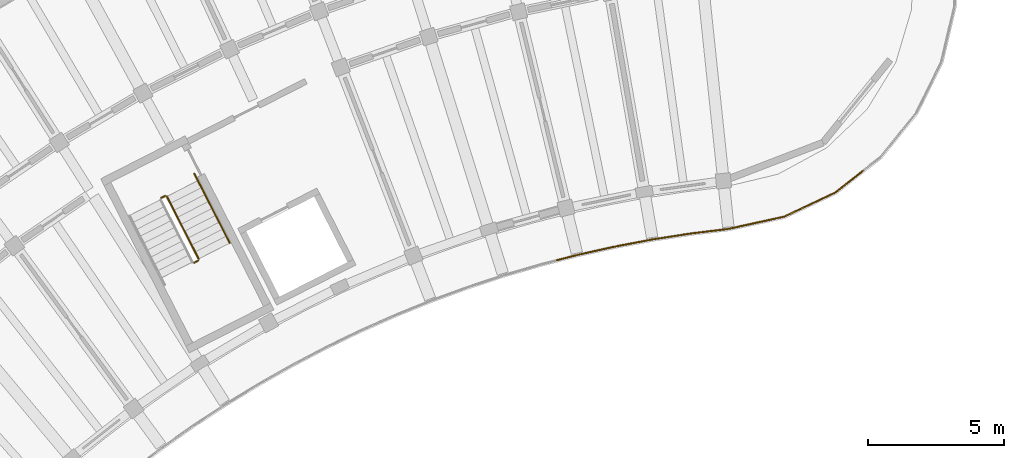
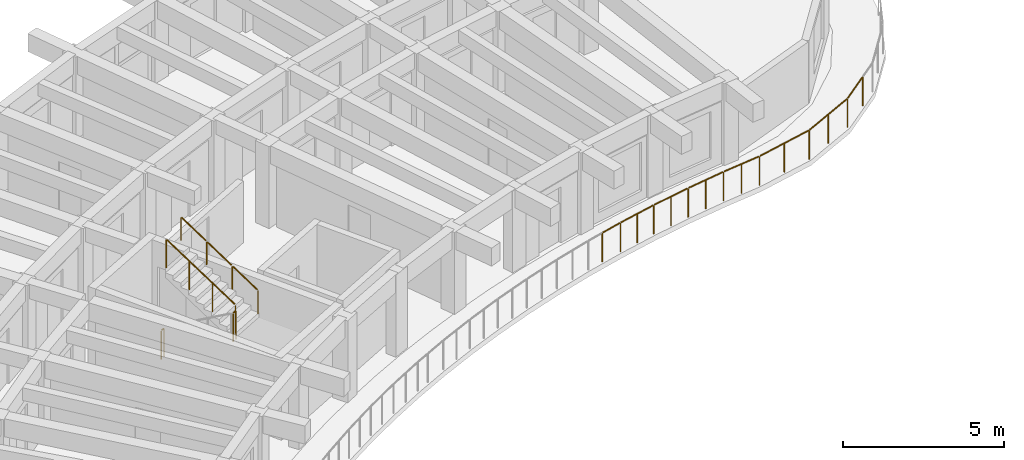
# One storey, part 86 of 96: 8 railings.
"""IFC4 building model written with IfcOpenShell, lengths in metres."""

from ifc_helpers import new_model, si_unit, direction, frame, origin, origin_2d, place, context, subcontext, project, spatial, circle, extrude, material, type_object, element, save


model = new_model("IFC4")

# Units and contexts
model_context = context("Model", 3, precision=1e-05, world=origin(), true_north=direction((0.0, 1.0)))
body_context = subcontext(model_context, "Body", "Model", "MODEL_VIEW")
ifc_project = project(units=[si_unit("LENGTHUNIT", "METRE"), si_unit("AREAUNIT", "SQUARE_METRE"), si_unit("VOLUMEUNIT", "CUBIC_METRE"), si_unit("PLANEANGLEUNIT", "RADIAN"), si_unit("MASSUNIT", "GRAM", prefix="KILO")], contexts=[model_context])

# Site, building, storey
site_placement = place(None, origin())
site = spatial("IfcSite", under=ifc_project, at=site_placement, CompositionType="ELEMENT")
building_placement = place(site_placement, origin())
building = spatial("IfcBuilding", under=site, at=building_placement, Name="Tanwirah Colonnade Gardens", CompositionType="ELEMENT")
storey_placement = place(building_placement, frame((0.0, 0.0, 12.199951171875)))
storey = spatial("IfcBuildingStorey", under=building, at=storey_placement, Name="L03", CompositionType="ELEMENT", Elevation=12.199951171875)

# Railings
ifc_material_1 = material(Name="Precast concrete C40/50", Category="concrete")
railing_type_1 = type_object("IfcRailingType", Name="BAL-EXT112", PredefinedType="BALUSTRADE", material=ifc_material_1)
railing_1_placement = place(storey_placement, frame((62.57666015625, 103.095947265625, 0.0)))
element("IfcRailing", 1, at=railing_1_placement, inside=storey, type_object=railing_type_1, Name="Block A L03 Balcony Ribbon Balustrade 1", PredefinedType="BALUSTRADE", context=body_context, shape_type="SweptSolid", body=[
    extrude(circle(Radius=0.02392578125, at=origin_2d()), frame((-0.030517578125, -0.0068359375, 1.09619140625), z_axis=(-0.976545428659, -0.215311462222, 0.0), x_axis=(0.215311462222, -0.976545428659, 0.0)), (0.0, 0.0, 1.0), 2.029541015625),
    extrude(circle(Radius=0.02392578125, at=origin_2d()), frame((-2.073974609375, -0.4541015625, 1.09619140625), z_axis=(-0.99267751715, -0.120794647829, 0.0), x_axis=(0.120794647829, -0.99267751715, 0.0)), (0.0, 0.0, 1.0), 1.338134765625),
    extrude(circle(Radius=0.02392578125, at=origin_2d()), frame((-3.466796875, -0.625, 1.09619140625), z_axis=(-0.988147546762, -0.153507087226, 0.0), x_axis=(0.153507087226, -0.988147546762, 0.0)), (0.0, 0.0, 1.0), 1.341796875),
    extrude(circle(Radius=0.02392578125, at=origin_2d()), frame((-4.85693359375, -0.842041015625, 1.09619140625), z_axis=(-0.982547926195, -0.186009603862, 0.0), x_axis=(0.186009603862, -0.982547926195, 0.0)), (0.0, 0.0, 1.0), 1.341796875),
    extrude(circle(Radius=0.02392578125, at=origin_2d()), frame((-6.239013671875, -1.104736328125, 1.09619140625), z_axis=(-0.975875211082, -0.218329046156, 0.0), x_axis=(0.218329046156, -0.975875211082, 0.0)), (0.0, 0.0, 1.0), 1.342041015625),
    extrude(circle(Radius=0.02392578125, at=origin_2d()), frame((-7.61181640625, -1.4130859375, 1.09619140625), z_axis=(-0.968150815957, -0.25036772468, 0.0), x_axis=(0.25036772468, -0.968150815957, 0.0)), (0.0, 0.0, 1.0), 0.721435546875),
    extrude(circle(Radius=0.02099609375, at=origin_2d()), origin(), (0.0, 0.0, 1.0), 1.069091796875),
    extrude(circle(Radius=0.02099609375, at=origin_2d()), frame((-1.021484375, -0.22509765625, 0.0)), (0.0, 0.0, 1.0), 1.069091796875),
    extrude(circle(Radius=0.02099609375, at=origin_2d()), frame((-2.04296875, -0.450439453125, 0.0)), (0.0, 0.0, 1.0), 1.069091796875),
    extrude(circle(Radius=0.02099609375, at=origin_2d()), frame((-2.73828125, -0.53515625, 0.0)), (0.0, 0.0, 1.0), 1.069091796875),
    extrude(circle(Radius=0.02099609375, at=origin_2d()), frame((-3.433349609375, -0.61962890625, 0.0)), (0.0, 0.0, 1.0), 1.069091796875),
    extrude(circle(Radius=0.02099609375, at=origin_2d()), frame((-4.129638671875, -0.72802734375, 0.0)), (0.0, 0.0, 1.0), 1.069091796875),
    extrude(circle(Radius=0.02099609375, at=origin_2d()), frame((-4.823486328125, -0.835693359375, 0.0)), (0.0, 0.0, 1.0), 1.069091796875),
    extrude(circle(Radius=0.02099609375, at=origin_2d()), frame((-5.51611328125, -0.966796875, 0.0)), (0.0, 0.0, 1.0), 1.069091796875),
    extrude(circle(Radius=0.02099609375, at=origin_2d()), frame((-6.2060546875, -1.097412109375, 0.0)), (0.0, 0.0, 1.0), 1.069091796875),
    extrude(circle(Radius=0.02099609375, at=origin_2d()), frame((-6.893798828125, -1.251220703125, 0.0)), (0.0, 0.0, 1.0), 1.069091796875),
    extrude(circle(Radius=0.02099609375, at=origin_2d()), frame((-7.5791015625, -1.404541015625, 0.0)), (0.0, 0.0, 1.0), 1.069091796875),
    extrude(circle(Radius=0.02099609375, at=origin_2d()), frame((-8.340576171875, -1.6015625, 0.0)), (0.0, 0.0, 1.0), 1.069091796875),
])
railing_2_placement = place(storey_placement, frame((65.462890625, 104.77197265625, 0.0)))
element("IfcRailing", 2, at=railing_2_placement, inside=storey, type_object=railing_type_1, Name="Block A L03 Balcony Ribbon Balustrade 22", PredefinedType="BALUSTRADE", context=body_context, shape_type="SweptSolid", body=[
    extrude(circle(Radius=0.02392578125, at=origin_2d()), frame((-0.024658203125, -0.019287109375, 1.09619140625), z_axis=(-0.786498338908, -0.617592392194, 0.0), x_axis=(0.617592392194, -0.786498338908, 0.0)), (0.0, 0.0, 1.0), 1.2080078125),
    extrude(circle(Radius=0.02392578125, at=origin_2d()), frame((-1.027587890625, -0.798095703125, 1.09619140625), z_axis=(-0.904194685142, -0.427120558346, 0.0), x_axis=(0.427120558346, -0.904194685142, 0.0)), (0.0, 0.0, 1.0), 2.0244140625),
    extrude(circle(Radius=0.02099609375, at=origin_2d()), origin(), (0.0, 0.0, 1.0), 1.069091796875),
    extrude(circle(Radius=0.02099609375, at=origin_2d()), frame((-0.999267578125, -0.78466796875, 0.0)), (0.0, 0.0, 1.0), 1.069091796875),
    extrude(circle(Radius=0.02099609375, at=origin_2d()), frame((-1.94287109375, -1.23046875, 0.0)), (0.0, 0.0, 1.0), 1.069091796875),
    extrude(circle(Radius=0.02099609375, at=origin_2d()), frame((-2.88623046875, -1.676025390625, 0.0)), (0.0, 0.0, 1.0), 1.069091796875),
])
ifc_material_2 = material(Name="Powder-coated galvanized steel", Category="steel")
railing_type_2 = type_object("IfcRailingType", Name="GRD-ST110", PredefinedType="GUARDRAIL", material=ifc_material_2)
railing_3_placement = place(storey_placement, frame((40.95068359375, 101.408203125, 1.679931640625)))
element("IfcRailing", 3, at=railing_3_placement, inside=storey, type_object=railing_type_2, Name="L03 ST-A1 stair guard 2", PredefinedType="GUARDRAIL", context=body_context, shape_type="SweptSolid", body=[
    extrude(circle(Radius=0.02392578125, at=origin_2d()), frame((0.02783203125, 0.01416015625, 1.076171875), z_axis=(0.89073666619, 0.4545197372, 0.0), x_axis=(-0.4545197372, 0.89073666619, 0.0)), (0.0, 0.0, 1.0), 0.09765625),
    extrude(circle(Radius=0.02099609375, at=origin_2d()), origin(), (0.0, 0.0, 1.0), 1.049072265625),
    extrude(circle(Radius=0.02099609375, at=origin_2d()), frame((0.142578125, 0.07275390625, 0.0)), (0.0, 0.0, 1.0), 1.049072265625),
])
railing_4_placement = place(storey_placement, frame((41.114990234375, 101.548095703125, 1.84814453125)))
element("IfcRailing", 4, at=railing_4_placement, inside=storey, type_object=railing_type_2, Name="L03 ST-A1 stair guard 3", PredefinedType="GUARDRAIL", context=body_context, shape_type="SweptSolid", body=[
    extrude(circle(Radius=0.02392578125, at=origin_2d()), frame((-0.01220703125, 0.02392578125, 1.092041015625), z_axis=(-0.3911222872, 0.767567239095, 0.507803003067), x_axis=(-0.890993730975, -0.45401560696, 0.0)), (0.0, 0.0, 1.0), 2.9150390625),
    extrude(circle(Radius=0.02099609375, at=origin_2d()), origin(), (0.0, 0.0, 1.0), 1.049072265625),
    extrude(circle(Radius=0.02099609375, at=origin_2d()), frame((-0.38818359375, 0.76171875, 0.50390625)), (0.0, 0.0, 1.0), 1.049072265625),
    extrude(circle(Radius=0.02099609375, at=origin_2d()), frame((-0.7763671875, 1.523681640625, 1.008056640625)), (0.0, 0.0, 1.0), 1.049072265625),
    extrude(circle(Radius=0.02099609375, at=origin_2d()), frame((-1.16455078125, 2.285400390625, 1.511962890625)), (0.0, 0.0, 1.0), 1.049072265625),
])
railing_5_placement = place(storey_placement, frame((39.74072265625, 103.78271484375, 0.0)))
element("IfcRailing", 5, at=railing_5_placement, inside=storey, type_object=railing_type_2, Name="L03 ST-A1 stair guard 4", PredefinedType="GUARDRAIL", context=body_context, shape_type="SweptSolid", body=[
    extrude(circle(Radius=0.02392578125, at=origin_2d()), frame((0.02783203125, 0.01416015625, 1.076171875), z_axis=(0.89073666619, 0.4545197372, 0.0), x_axis=(-0.4545197372, 0.89073666619, 0.0)), (0.0, 0.0, 1.0), 0.09765625),
    extrude(circle(Radius=0.02099609375, at=origin_2d()), origin(), (0.0, 0.0, 1.0), 1.049072265625),
    extrude(circle(Radius=0.02099609375, at=origin_2d()), frame((0.142578125, 0.07275390625, 0.0)), (0.0, 0.0, 1.0), 1.049072265625),
])
ifc_material_3 = material(Name="Brushed bronze stainless steel", Category="steel")
railing_type_3 = type_object("IfcRailingType", Name="HR-ST090", PredefinedType="HANDRAIL", material=ifc_material_3)
railing_6_placement = place(storey_placement, frame((42.255615234375, 102.129150390625, 1.84814453125)))
element("IfcRailing", 6, at=railing_6_placement, inside=storey, type_object=railing_type_3, Name="L03 ST-A1 stair handrail 4", PredefinedType="HANDRAIL", context=body_context, shape_type="SweptSolid", body=[
    extrude(circle(Radius=0.02392578125, at=origin_2d()), frame((-0.01220703125, 0.02392578125, 0.891845703125), z_axis=(-0.390117538533, 0.765442844423, 0.51176709356), x_axis=(-0.890957114254, -0.454087459154, 0.0)), (0.0, 0.0, 1.0), 1.043212890625),
    extrude(circle(Radius=0.02099609375, at=origin_2d()), origin(), (0.0, 0.0, 1.0), 0.848876953125),
    extrude(circle(Radius=0.02099609375, at=origin_2d()), frame((-0.431396484375, 0.846435546875, 0.56591796875)), (0.0, 0.0, 1.0), 0.848876953125),
])
railing_7_placement = place(storey_placement, frame((41.82421875, 102.9755859375, 2.4140625)))
element("IfcRailing", 7, at=railing_7_placement, inside=storey, type_object=railing_type_3, Name="L03 ST-A1 stair handrail 5", PredefinedType="HANDRAIL", context=body_context, shape_type="SweptSolid", body=[
    extrude(circle(Radius=0.02392578125, at=origin_2d()), frame((-0.01220703125, 0.02392578125, 0.891845703125), z_axis=(-0.390051618152, 0.765534245474, 0.511680617361), x_axis=(-0.891010084603, -0.453983511965, 0.0)), (0.0, 0.0, 1.0), 1.04345703125),
    extrude(circle(Radius=0.02099609375, at=origin_2d()), origin(), (0.0, 0.0, 1.0), 0.848876953125),
    extrude(circle(Radius=0.02099609375, at=origin_2d()), frame((-0.431396484375, 0.8466796875, 0.56591796875)), (0.0, 0.0, 1.0), 0.848876953125),
])
railing_8_placement = place(storey_placement, frame((41.392822265625, 103.822265625, 2.97998046875)))
element("IfcRailing", 8, at=railing_8_placement, inside=storey, type_object=railing_type_3, Name="L03 ST-A1 stair handrail 6", PredefinedType="HANDRAIL", context=body_context, shape_type="SweptSolid", body=[
    extrude(circle(Radius=0.02392578125, at=origin_2d()), frame((-0.01220703125, 0.02392578125, 0.891845703125), z_axis=(-0.389886268615, 0.765422249879, 0.511974097915), x_axis=(-0.891061070925, -0.453883429839, 0.0)), (0.0, 0.0, 1.0), 1.043212890625),
    extrude(circle(Radius=0.02099609375, at=origin_2d()), origin(), (0.0, 0.0, 1.0), 0.848876953125),
    extrude(circle(Radius=0.02099609375, at=origin_2d()), frame((-0.43115234375, 0.846435546875, 0.566162109375)), (0.0, 0.0, 1.0), 0.848876953125),
])

save(model, "model.ifc")
